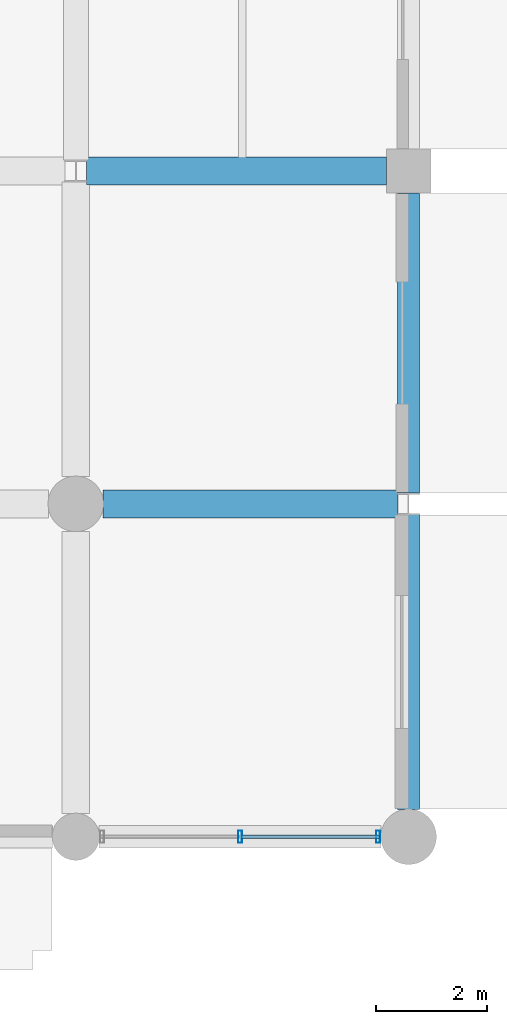
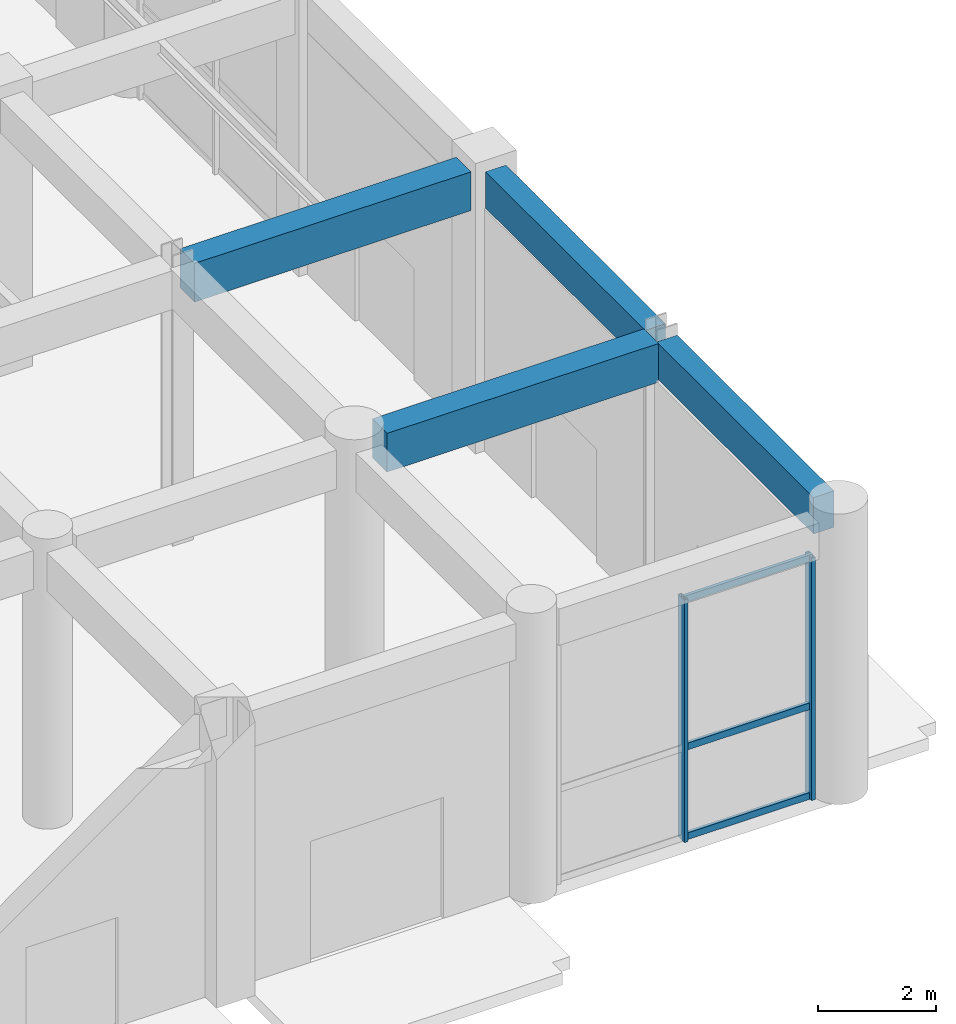
# One storey, part 55 of 106: 5 members, 4 beams, 1 element without a shape of its own.
"""IFC4 building model written with IfcOpenShell, lengths in metres."""

import ifcopenshell
import ifcopenshell.guid

model = None  # the IFC model being written
_history = None  # IfcOwnerHistory: only IFC2X3 demands one
_inside = {}  # id of a spatial element -> (the spatial element, [elements in it])
_under = {}  # id of a project, library or spatial element -> (it, [spatial elements below it])
_declared = {}  # id of a project -> (the project, [libraries it declares])
_typed = {}  # id of a type object -> (the type object, [elements of that type])
_made_of = {}  # id of a material, layer set ... -> (it, [elements and type objects made of it])


def new_model(schema):
    """Start an empty IFC model of exactly this schema.

    Asked for "IFC4X3", IfcOpenShell would pick the latest addendum, in which some entities
    have other attributes; the version numbers below select the first issue.
    IFC2X3 requires an IfcOwnerHistory on every rooted entity: one is made here for all.
    """
    global model, _history
    if schema == "IFC4X3":
        model = ifcopenshell.file(schema_version=(4, 3, 0, 0))
    else:
        model = ifcopenshell.file(schema=schema)
    _inside.clear()
    _under.clear()
    _declared.clear()
    _typed.clear()
    _made_of.clear()
    _history = None
    if model.schema == "IFC2X3":
        org = make("IfcOrganization", Name="unknown")
        user = make(
            "IfcPersonAndOrganization",
            ThePerson=make("IfcPerson", FamilyName="unknown"),
            TheOrganization=org,
        )
        app = make(
            "IfcApplication",
            ApplicationDeveloper=org,
            Version="unknown",
            ApplicationFullName="unknown",
            ApplicationIdentifier="unknown",
        )
        _history = make(
            "IfcOwnerHistory",
            OwningUser=user,
            OwningApplication=app,
            ChangeAction="ADDED",
            CreationDate=0,
        )
    return model


def make(cls, **values):
    """One entity of the class cls with the attributes given. An attribute that is None is left unset."""
    return model.create_entity(
        cls, **{name: value for name, value in values.items() if value is not None}
    )


def rooted(cls, **values):
    """An entity with a GlobalId (a new one), such as an element, a storey or a relation."""
    return make(cls, GlobalId=ifcopenshell.guid.new(), OwnerHistory=_history, **values)


def si_unit(unit_type, name, prefix=None):
    """IfcSIUnit, for example si_unit("LENGTHUNIT", "METRE", prefix="MILLI")."""
    return make("IfcSIUnit", UnitType=unit_type, Prefix=prefix, Name=name)


def assignment(units):
    """IfcUnitAssignment: the units of a project."""
    return None if units is None else make("IfcUnitAssignment", Units=units)


def point(xyz):
    """IfcCartesianPoint."""
    return None if xyz is None else make("IfcCartesianPoint", Coordinates=xyz)


def direction(xyz):
    """IfcDirection."""
    return None if xyz is None else make("IfcDirection", DirectionRatios=xyz)


def frame(location, z_axis=None, x_axis=None):
    """IfcAxis2Placement3D, a coordinate frame: its origin and axes. An axis left out is left unset."""
    return make(
        "IfcAxis2Placement3D",
        Location=point(location),
        Axis=direction(z_axis),
        RefDirection=direction(x_axis),
    )


def frame_2d(location, x_axis=None):
    """IfcAxis2Placement2D, a coordinate frame in the plane: its origin and x axis."""
    return make(
        "IfcAxis2Placement2D", Location=point(location), RefDirection=direction(x_axis)
    )


def origin():
    """The frame at (0, 0, 0) with its axes left unset."""
    return frame((0.0, 0.0, 0.0))


def origin_2d():
    """The frame at (0, 0) in the plane with its x axis left unset."""
    return frame_2d((0.0, 0.0))


def place(relative_to, where):
    """IfcLocalPlacement: puts the frame where relative to a parent placement (None: the world)."""
    return make(
        "IfcLocalPlacement", PlacementRelTo=relative_to, RelativePlacement=where
    )


def context(
    kind, dimensions, precision=None, world=None, true_north=None, identifier=None
):
    """IfcGeometricRepresentationContext, for example the 3D "Model" context."""
    return make(
        "IfcGeometricRepresentationContext",
        ContextIdentifier=identifier,
        ContextType=kind,
        CoordinateSpaceDimension=dimensions,
        Precision=precision,
        WorldCoordinateSystem=world,
        TrueNorth=true_north,
    )


def subcontext(parent, identifier, kind, view, scale=None):
    """IfcGeometricRepresentationSubContext, for example "Body" below "Model"."""
    return make(
        "IfcGeometricRepresentationSubContext",
        ContextIdentifier=identifier,
        ContextType=kind,
        ParentContext=parent,
        TargetScale=scale,
        TargetView=view,
    )


def project(units=None, contexts=None):
    """IfcProject with its units and contexts."""
    return rooted(
        "IfcProject",
        Name="project",
        RepresentationContexts=contexts,
        UnitsInContext=assignment(units),
    )


def spatial(cls, under=None, at=None, **own):
    """A site, building, storey or space (cls), placed at a placement, below another one or the project."""
    s = rooted(cls, ObjectPlacement=at, **own)
    if under is not None:
        _under.setdefault(under.id(), (under, []))[1].append(s)
    return s


def profile(cls, at=None, kind="AREA", **sizes):
    """A parametric profile (cls). Its sizes go by their IFC names, for example OverallWidth=200.0."""
    return make(cls, ProfileType=kind, Position=at, **sizes)


def rectangle(**sizes):
    """IfcRectangleProfileDef."""
    return profile("IfcRectangleProfileDef", **sizes)


def hollow_rectangle(**sizes):
    """IfcRectangleHollowProfileDef."""
    return profile("IfcRectangleHollowProfileDef", **sizes)


def extrude(swept, where, along, depth):
    """IfcExtrudedAreaSolid: the profile swept, set in the frame where, extruded along a direction by depth."""
    return make(
        "IfcExtrudedAreaSolid",
        SweptArea=swept,
        Position=where,
        ExtrudedDirection=direction(along),
        Depth=depth,
    )


def shape(context_of_items, identifier, shape_type, items):
    """IfcShapeRepresentation: the items that make up one representation, for example the "Body"."""
    return make(
        "IfcShapeRepresentation",
        ContextOfItems=context_of_items,
        RepresentationIdentifier=identifier,
        RepresentationType=shape_type,
        Items=items,
    )


def material(Name=None, Category=None):
    """IfcMaterial."""
    return make("IfcMaterial", Name=Name, Category=Category)


def material_profile(
    of_material, cross_section, Name=None, Category=None, Priority=None
):
    """IfcMaterialProfile: a cross section and its material."""
    return make(
        "IfcMaterialProfile",
        Name=Name,
        Material=of_material,
        Profile=cross_section,
        Priority=Priority,
        Category=Category,
    )


def profile_set(profiles, Name=None, composite=None):
    """IfcMaterialProfileSet."""
    return make(
        "IfcMaterialProfileSet",
        Name=Name,
        MaterialProfiles=profiles,
        CompositeProfile=composite,
    )


def made_of(thing, what):
    """Note that an element or type object is made of a material, layer set ...; save() writes the relation."""
    if what is not None:
        _made_of.setdefault(what.id(), (what, []))[1].append(thing)
    return thing


def type_object(cls, material=None, **own):
    """A type object (cls), such as IfcWallType, which elements share."""
    return made_of(rooted(cls, **own), material)


def element(
    cls,
    number,
    at=None,
    inside=None,
    cuts=None,
    type_object=None,
    material=None,
    context=None,
    identifier="Body",
    shape_type=None,
    held_by="IfcProductDefinitionShape",
    body=None,
    shapes=None,
    **own,
):
    """One element of the class cls, such as IfcWall. Its Tag is "e" and its number.

    at: its placement. inside: the storey or other place that contains it. cuts: it is an
    opening in that element (IfcRelVoidsElement). A single representation is given by context,
    identifier, shape_type and body (its items); several are given by shapes. held_by: the class
    of the entity that holds the representations. save() writes the other relations.
    """
    e = rooted(cls, Tag="e%d" % number, ObjectPlacement=at, **own)
    if body is not None:
        shapes = [shape(context, identifier, shape_type, body)]
    if shapes is not None:
        e.Representation = make(held_by, Representations=shapes)
    if inside is not None:
        _inside.setdefault(inside.id(), (inside, []))[1].append(e)
    if cuts is not None:
        rooted(
            "IfcRelVoidsElement", RelatingBuildingElement=cuts, RelatedOpeningElement=e
        )
    if type_object is not None:
        _typed.setdefault(type_object.id(), (type_object, []))[1].append(e)
    return made_of(e, material)


def aggregate(whole, parts):
    """IfcRelAggregates: a whole, such as a stair, and the parts it consists of."""
    return rooted("IfcRelAggregates", RelatingObject=whole, RelatedObjects=parts)


def save(model, path):
    """Write the relations noted so far, then the file.

    IfcRelAggregates (storeys below a building ...), IfcRelContainedInSpatialStructure (elements
    in a storey), IfcRelDefinesByType, IfcRelAssociatesMaterial and IfcRelDeclares: one each for
    every whole, place, type object, material and project.
    """
    for whole, parts in _under.values():
        aggregate(whole, parts)
    for where, things in _inside.values():
        rooted(
            "IfcRelContainedInSpatialStructure",
            RelatedElements=things,
            RelatingStructure=where,
        )
    for kind, things in _typed.values():
        rooted("IfcRelDefinesByType", RelatedObjects=things, RelatingType=kind)
    for what, things in _made_of.values():
        rooted("IfcRelAssociatesMaterial", RelatedObjects=things, RelatingMaterial=what)
    for by, libraries in _declared.values():
        rooted("IfcRelDeclares", RelatingContext=by, RelatedDefinitions=libraries)
    model.write(path)


model = new_model("IFC4")

# Units and contexts
model_context = context("Model", 3, precision=1e-05, world=origin(), true_north=direction((0.0, 1.0)))
body_context = subcontext(model_context, "Body", "Model", "MODEL_VIEW")
ifc_project = project(units=[si_unit("LENGTHUNIT", "METRE"), si_unit("AREAUNIT", "SQUARE_METRE"), si_unit("VOLUMEUNIT", "CUBIC_METRE"), si_unit("PLANEANGLEUNIT", "RADIAN"), si_unit("MASSUNIT", "GRAM", prefix="KILO"), si_unit("THERMODYNAMICTEMPERATUREUNIT", "KELVIN"), si_unit("POWERUNIT", "WATT")], contexts=[model_context])

# Site, building, storey
site_placement = place(None, origin())
site = spatial("IfcSite", under=ifc_project, at=site_placement, CompositionType="ELEMENT")
building_placement = place(site_placement, origin())
building = spatial("IfcBuilding", under=site, at=building_placement, Name="Phaisarnlok Congress Hotel", CompositionType="ELEMENT")
storey_placement = place(building_placement, origin())
storey = spatial("IfcBuildingStorey", under=building, at=storey_placement, Name="L00", CompositionType="ELEMENT", Elevation=0.0)

# Beams
ifc_material_1 = material(Name="Concrete C40/50", Category="concrete")
ifc_material_profile_1 = material_profile(ifc_material_1, rectangle(XDim=0.5, YDim=0.800048828125, at=origin_2d()), Name="RC 500x800")
ifc_profile_set_1 = profile_set([ifc_material_profile_1], Name="Concrete C40/50")
beam_type_1 = type_object("IfcBeamType", Name="BM-RC-500x800", PredefinedType="BEAM", material=ifc_profile_set_1)
beam_1_placement = place(storey_placement, frame((174.4951171875, 24.0, 5.360107421875), z_axis=(1.0, 0.0, 0.0), x_axis=(0.0, 1.0, 0.0)))
element("IfcBeam", 1, at=beam_1_placement, inside=storey, type_object=beam_type_1, Name="Beam B-04", PredefinedType="BEAM", context=body_context, shape_type="SweptSolid", body=[
    extrude(rectangle(XDim=0.5, YDim=0.800048828125, at=origin_2d()), origin(), (0.0, 0.0, 1.0), 5.309326171875),
])
beam_2_placement = place(storey_placement, frame((174.195556640625, 30.0, 5.340087890625), z_axis=(1.0, 0.0, 0.0), x_axis=(0.0, 1.0, 0.0)))
element("IfcBeam", 2, at=beam_2_placement, inside=storey, type_object=beam_type_1, Name="Beam B-04", PredefinedType="BEAM", context=body_context, shape_type="SweptSolid", body=[
    extrude(rectangle(XDim=0.5, YDim=0.800048828125, at=origin_2d()), origin(), (0.0, 0.0, 1.0), 5.409423828125),
])

# Curtain wall, members
ifc_material_2 = material(Name="Thermally Broken Unitised Aluminium & Low-E Glazing", Category="aluminium")
curtain_wall_type = type_object("IfcCurtainWallType", Name="CW-UNIT-01", PredefinedType="NOTDEFINED", material=ifc_material_2)
curtain_wall_placement = place(storey_placement, origin())
curtain_wall = element("IfcCurtainWall", 3, at=curtain_wall_placement, inside=storey, type_object=curtain_wall_type, Name="Unitised curtain wall CW-01 (L00)", PredefinedType="NOTDEFINED")
ifc_material_3 = material(Name="Anodised Aluminium Alloy 6063-T6", Category="aluminium")
ifc_material_profile_2 = material_profile(ifc_material_3, hollow_rectangle(XDim=0.074951171875, YDim=0.219970703125, WallThickness=0.0048828125, at=origin_2d()), Name="ALU-M 75x220x5")
ifc_profile_set_2 = profile_set([ifc_material_profile_2], Name="Anodised Aluminium Alloy 6063-T6")
member_type_1 = type_object("IfcMemberType", Name="CWM-220", PredefinedType="MULLION", material=ifc_profile_set_2)
member_1_placement = place(storey_placement, frame((176.96240234375, 18.0, 0.0), z_axis=(0.0, 0.0, 1.0), x_axis=(1.0, 0.0, 0.0)))
member_1 = element("IfcMember", 4, at=member_1_placement, type_object=member_type_1, Name="Curtain wall mullion CWM-02", PredefinedType="MULLION", context=body_context, shape_type="SweptSolid", body=[
    extrude(hollow_rectangle(XDim=0.074951171875, YDim=0.219970703125, WallThickness=0.0048828125, at=origin_2d()), origin(), (0.0, 0.0, 1.0), 5.010009765625),
])
member_2_placement = place(storey_placement, frame((179.449951171875, 18.0, 0.0), z_axis=(0.0, 0.0, 1.0), x_axis=(1.0, 0.0, 0.0)))
member_2 = element("IfcMember", 5, at=member_2_placement, type_object=member_type_1, Name="Curtain wall mullion CWM-02", PredefinedType="MULLION", context=body_context, shape_type="SweptSolid", body=[
    extrude(hollow_rectangle(XDim=0.074951171875, YDim=0.219970703125, WallThickness=0.0048828125, at=origin_2d()), origin(), (0.0, 0.0, 1.0), 5.010009765625),
])
ifc_material_profile_3 = material_profile(ifc_material_3, hollow_rectangle(XDim=0.06494140625, YDim=0.139892578125, WallThickness=0.00390625, at=origin_2d()), Name="ALU-T 65x140x4")
ifc_profile_set_3 = profile_set([ifc_material_profile_3], Name="Anodised Aluminium Alloy 6063-T6")
member_type_2 = type_object("IfcMemberType", Name="CWT-150", PredefinedType="USERDEFINED", material=ifc_profile_set_3)
member_3_placement = place(storey_placement, frame((176.9775390625, 18.0, 0.050048828125), z_axis=(1.0, 0.0, 0.0), x_axis=(0.0, 1.0, 0.0)))
member_3 = element("IfcMember", 6, at=member_3_placement, type_object=member_type_2, Name="Curtain wall transom CWT-01", ObjectType="TRANSOM", PredefinedType="USERDEFINED", context=body_context, shape_type="SweptSolid", body=[
    extrude(hollow_rectangle(XDim=0.06494140625, YDim=0.139892578125, WallThickness=0.00390625, at=origin_2d()), origin(), (0.0, 0.0, 1.0), 2.49755859375),
])
member_4_placement = place(storey_placement, frame((176.9775390625, 18.0, 1.90380859375), z_axis=(1.0, 0.0, 0.0), x_axis=(0.0, 1.0, 0.0)))
member_4 = element("IfcMember", 7, at=member_4_placement, type_object=member_type_2, Name="Curtain wall transom CWT-01", ObjectType="TRANSOM", PredefinedType="USERDEFINED", context=body_context, shape_type="SweptSolid", body=[
    extrude(hollow_rectangle(XDim=0.06494140625, YDim=0.139892578125, WallThickness=0.00390625, at=origin_2d()), origin(), (0.0, 0.0, 1.0), 2.49755859375),
])
member_5_placement = place(storey_placement, frame((176.9775390625, 18.0, 4.9599609375), z_axis=(1.0, 0.0, 0.0), x_axis=(0.0, 1.0, 0.0)))
member_5 = element("IfcMember", 8, at=member_5_placement, type_object=member_type_2, Name="Curtain wall transom CWT-01", ObjectType="TRANSOM", PredefinedType="USERDEFINED", context=body_context, shape_type="SweptSolid", body=[
    extrude(hollow_rectangle(XDim=0.06494140625, YDim=0.139892578125, WallThickness=0.00390625, at=origin_2d()), origin(), (0.0, 0.0, 1.0), 2.49755859375),
])
aggregate(curtain_wall, [member_1, member_2, member_3, member_4, member_5])

# Beams
ifc_material_profile_4 = material_profile(ifc_material_1, rectangle(XDim=0.39990234375, YDim=0.75, at=origin_2d()), Name="RC 400x750")
ifc_profile_set_4 = profile_set([ifc_material_profile_4], Name="Concrete C40/50")
beam_type_2 = type_object("IfcBeamType", Name="SP-RC-400x750", PredefinedType="SPANDREL", material=ifc_profile_set_4)
beam_3_placement = place(storey_placement, frame((180.0, 18.4951171875, 5.385009765625), z_axis=(0.0, 1.0, 0.0), x_axis=(-1.0, 0.0, 0.0)))
element("IfcBeam", 9, at=beam_3_placement, inside=storey, type_object=beam_type_2, Name="Beam SP-02", PredefinedType="SPANDREL", context=body_context, shape_type="SweptSolid", body=[
    extrude(rectangle(XDim=0.39990234375, YDim=0.75, at=origin_2d()), origin(), (0.0, 0.0, 1.0), 5.310302734375),
])
beam_4_placement = place(storey_placement, frame((180.0, 24.194580078125, 5.385009765625), z_axis=(0.0, 1.0, 0.0), x_axis=(-1.0, 0.0, 0.0)))
element("IfcBeam", 10, at=beam_4_placement, inside=storey, type_object=beam_type_2, Name="Beam SP-02", PredefinedType="SPANDREL", context=body_context, shape_type="SweptSolid", body=[
    extrude(rectangle(XDim=0.39990234375, YDim=0.75, at=origin_2d()), origin(), (0.0, 0.0, 1.0), 5.410400390625),
])

save(model, "model.ifc")
